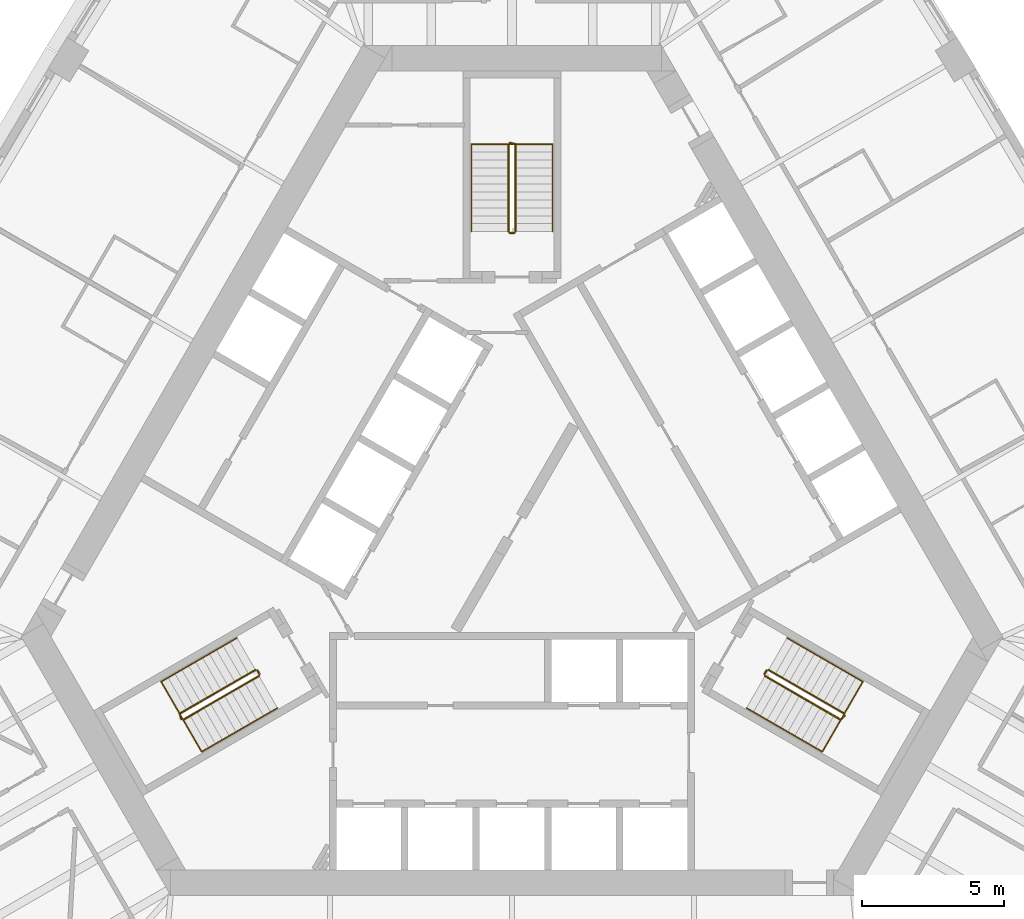
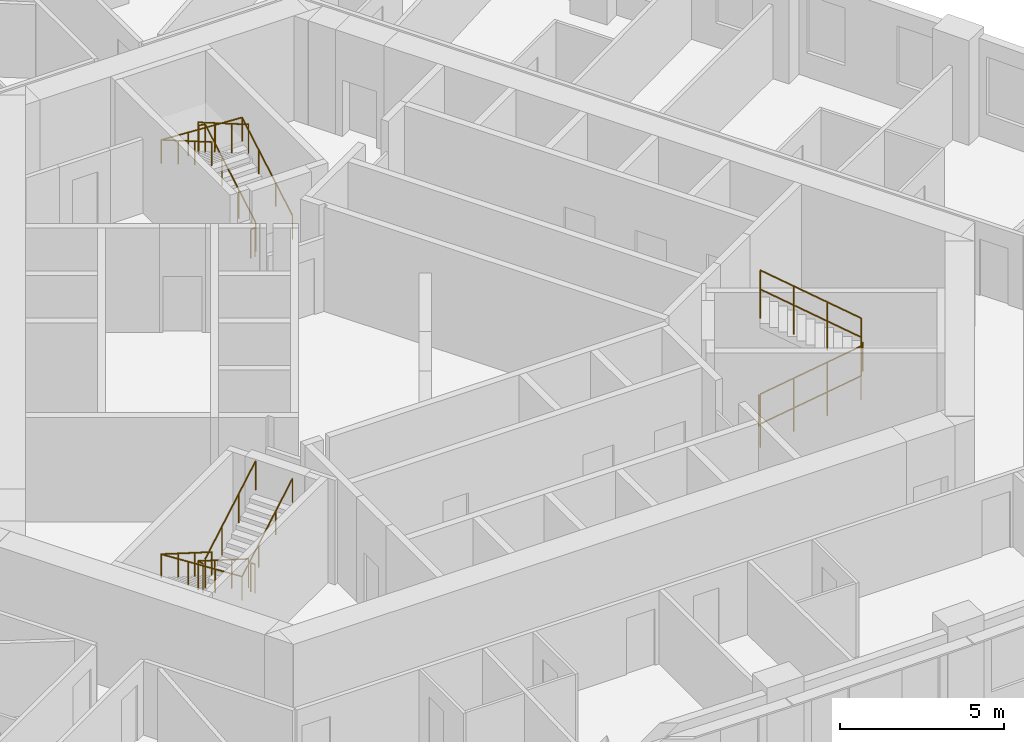
# One storey, part 12 of 12: 12 railings.
"""IFC4 building model written with IfcOpenShell, lengths in metres."""

from ifc_helpers import new_model, si_unit, direction, frame, origin, origin_2d, place, context, subcontext, project, spatial, circle, extrude, material, type_object, element, save


model = new_model("IFC4")

# Units and contexts
model_context = context("Model", 3, precision=1e-05, world=origin(), true_north=direction((0.0, 1.0)))
body_context = subcontext(model_context, "Body", "Model", "MODEL_VIEW")
ifc_project = project(units=[si_unit("LENGTHUNIT", "METRE"), si_unit("AREAUNIT", "SQUARE_METRE"), si_unit("VOLUMEUNIT", "CUBIC_METRE"), si_unit("PLANEANGLEUNIT", "RADIAN"), si_unit("MASSUNIT", "GRAM", prefix="KILO")], contexts=[model_context])

# Site, building, storey
site_placement = place(None, origin())
site = spatial("IfcSite", under=ifc_project, at=site_placement, CompositionType="ELEMENT")
building_placement = place(site_placement, origin())
building = spatial("IfcBuilding", under=site, at=building_placement, Name="Mestral Congress Tower", CompositionType="ELEMENT")
storey_placement = place(building_placement, frame((0.0, 0.0, 111.0)))
storey = spatial("IfcBuildingStorey", under=building, at=storey_placement, Name="L26", CompositionType="ELEMENT", Elevation=111.0)

# Railings
ifc_material_1 = material(Name="Steel balustrade", Category="steel")
railing_type_1 = type_object("IfcRailingType", Name="Stair guard 1100", PredefinedType="GUARDRAIL", material=ifc_material_1)
railing_1_placement = place(storey_placement, frame((8.90087890625, -5.283203125, 0.16259765625)))
element("IfcRailing", 1, at=railing_1_placement, inside=storey, type_object=railing_type_1, Name="L26 ST1 stair guard 1", PredefinedType="GUARDRAIL", context=body_context, shape_type="SweptSolid", body=[
    extrude(circle(Radius=0.02392578125, at=origin_2d()), frame((0.0, 0.0, 1.076171875), z_axis=(0.749019742845, -0.432477486304, 0.501928927906), x_axis=(0.500026652407, 0.866010015463, 0.0)), (0.0, 0.0, 1.0), 3.56103515625),
    extrude(circle(Radius=0.02392578125, at=origin_2d()), frame((2.667236328125, -1.5400390625, 2.86328125), z_axis=(0.695164929852, 0.718850276695, 0.0), x_axis=(-0.718850276695, 0.695164929852, 0.0)), (0.0, 0.0, 1.0), 0.2060546875),
    extrude(circle(Radius=0.02099609375, at=origin_2d()), origin(), (0.0, 0.0, 1.0), 1.052001953125),
    extrude(circle(Radius=0.02099609375, at=origin_2d()), frame((0.88916015625, -0.513427734375, 0.595703125)), (0.0, 0.0, 1.0), 1.052001953125),
    extrude(circle(Radius=0.02099609375, at=origin_2d()), frame((1.778076171875, -1.026611328125, 1.191650390625)), (0.0, 0.0, 1.0), 1.052001953125),
    extrude(circle(Radius=0.02099609375, at=origin_2d()), frame((2.667236328125, -1.5400390625, 1.787353515625)), (0.0, 0.0, 1.0), 1.052001953125),
    extrude(circle(Radius=0.02099609375, at=origin_2d()), frame((2.810546875, -1.391845703125, 1.787353515625)), (0.0, 0.0, 1.0), 1.052001953125),
])
railing_2_placement = place(storey_placement, frame((11.693115234375, -6.606689453125, 2.112548828125)))
element("IfcRailing", 2, at=railing_2_placement, inside=storey, type_object=railing_type_1, Name="L26 ST1 stair guard 2", PredefinedType="GUARDRAIL", context=body_context, shape_type="SweptSolid", body=[
    extrude(circle(Radius=0.02392578125, at=origin_2d()), frame((0.0, 0.0, 1.076171875), z_axis=(-0.749019742845, 0.432477486304, 0.501928927906), x_axis=(-0.500026652407, -0.866010015463, 0.0)), (0.0, 0.0, 1.0), 3.56103515625),
    extrude(circle(Radius=0.02099609375, at=origin_2d()), origin(), (0.0, 0.0, 1.0), 1.052001953125),
    extrude(circle(Radius=0.02099609375, at=origin_2d()), frame((-0.88916015625, 0.513427734375, 0.595703125)), (0.0, 0.0, 1.0), 1.052001953125),
    extrude(circle(Radius=0.02099609375, at=origin_2d()), frame((-1.778076171875, 1.026611328125, 1.191650390625)), (0.0, 0.0, 1.0), 1.052001953125),
    extrude(circle(Radius=0.02099609375, at=origin_2d()), frame((-2.667236328125, 1.5400390625, 1.787353515625)), (0.0, 0.0, 1.0), 1.052001953125),
])
railing_3_placement = place(storey_placement, frame((8.882568359375, -5.21484375, 0.0)))
element("IfcRailing", 3, at=railing_3_placement, inside=storey, type_object=railing_type_1, Name="L26 ST1 stair guard 3", PredefinedType="GUARDRAIL", context=body_context, shape_type="SweptSolid", body=[
    extrude(circle(Radius=0.02392578125, at=origin_2d()), frame((0.0, 0.0, 1.076171875), z_axis=(0.499816412211, 0.866131372301, 0.0), x_axis=(-0.866131372301, 0.499816412211, 0.0)), (0.0, 0.0, 1.0), 0.14990234375),
    extrude(circle(Radius=0.02099609375, at=origin_2d()), origin(), (0.0, 0.0, 1.0), 1.052001953125),
    extrude(circle(Radius=0.02099609375, at=origin_2d()), frame((0.074951171875, 0.1298828125, 0.0)), (0.0, 0.0, 1.0), 1.052001953125),
])
railing_4_placement = place(storey_placement, frame((0.125, 10.35009765625, 0.16259765625)))
element("IfcRailing", 4, at=railing_4_placement, inside=storey, type_object=railing_type_1, Name="L26 ST2 stair guard 1", PredefinedType="GUARDRAIL", context=body_context, shape_type="SweptSolid", body=[
    extrude(circle(Radius=0.02392578125, at=origin_2d()), frame((0.0, 0.0, 1.076171875), z_axis=(0.0, 0.864903211148, 0.501938676878), x_axis=(-1.0, 0.0, 0.0)), (0.0, 0.0, 1.0), 3.560791015625),
    extrude(circle(Radius=0.02392578125, at=origin_2d()), frame((0.0, 3.079833984375, 2.86328125), z_axis=(-0.970072785993, 0.242814311512, 0.0), x_axis=(-0.242814311512, -0.970072785993, 0.0)), (0.0, 0.0, 1.0), 0.2060546875),
    extrude(circle(Radius=0.02099609375, at=origin_2d()), origin(), (0.0, 0.0, 1.0), 1.052001953125),
    extrude(circle(Radius=0.02099609375, at=origin_2d()), frame((0.0, 1.026611328125, 0.595703125)), (0.0, 0.0, 1.0), 1.052001953125),
    extrude(circle(Radius=0.02099609375, at=origin_2d()), frame((0.0, 2.05322265625, 1.191650390625)), (0.0, 0.0, 1.0), 1.052001953125),
    extrude(circle(Radius=0.02099609375, at=origin_2d()), frame((0.0, 3.079833984375, 1.787353515625)), (0.0, 0.0, 1.0), 1.052001953125),
    extrude(circle(Radius=0.02099609375, at=origin_2d()), frame((-0.199951171875, 3.1298828125, 1.787353515625)), (0.0, 0.0, 1.0), 1.052001953125),
])
railing_5_placement = place(storey_placement, frame((-0.125, 13.429931640625, 2.112548828125)))
element("IfcRailing", 5, at=railing_5_placement, inside=storey, type_object=railing_type_1, Name="L26 ST2 stair guard 2", PredefinedType="GUARDRAIL", context=body_context, shape_type="SweptSolid", body=[
    extrude(circle(Radius=0.02392578125, at=origin_2d()), frame((0.0, 0.0, 1.076171875), z_axis=(0.0, -0.864903211148, 0.501938676878), x_axis=(1.0, 0.0, 0.0)), (0.0, 0.0, 1.0), 3.560791015625),
    extrude(circle(Radius=0.02099609375, at=origin_2d()), origin(), (0.0, 0.0, 1.0), 1.052001953125),
    extrude(circle(Radius=0.02099609375, at=origin_2d()), frame((0.0, -1.026611328125, 0.595703125)), (0.0, 0.0, 1.0), 1.052001953125),
    extrude(circle(Radius=0.02099609375, at=origin_2d()), frame((0.0, -2.05322265625, 1.191650390625)), (0.0, 0.0, 1.0), 1.052001953125),
    extrude(circle(Radius=0.02099609375, at=origin_2d()), frame((0.0, -3.079833984375, 1.787353515625)), (0.0, 0.0, 1.0), 1.052001953125),
])
railing_6_placement = place(storey_placement, frame((0.074951171875, 10.300048828125, 0.0)))
element("IfcRailing", 6, at=railing_6_placement, inside=storey, type_object=railing_type_1, Name="L26 ST2 stair guard 3", PredefinedType="GUARDRAIL", context=body_context, shape_type="SweptSolid", body=[
    extrude(circle(Radius=0.02392578125, at=origin_2d()), frame((0.0, 0.0, 1.076171875), z_axis=(-1.0, 0.0, 0.0), x_axis=(0.0, -1.0, 0.0)), (0.0, 0.0, 1.0), 0.14990234375),
    extrude(circle(Radius=0.02099609375, at=origin_2d()), origin(), (0.0, 0.0, 1.0), 1.052001953125),
    extrude(circle(Radius=0.02099609375, at=origin_2d()), frame((-0.14990234375, 0.0, 0.0)), (0.0, 0.0, 1.0), 1.052001953125),
])
railing_7_placement = place(storey_placement, frame((-9.02587890625, -5.066650390625, 0.16259765625)))
element("IfcRailing", 7, at=railing_7_placement, inside=storey, type_object=railing_type_1, Name="L26 ST3 stair guard 1", PredefinedType="GUARDRAIL", context=body_context, shape_type="SweptSolid", body=[
    extrude(circle(Radius=0.02392578125, at=origin_2d()), frame((0.0, 0.0, 1.076171875), z_axis=(-0.749019742845, -0.432477486304, 0.501928927906), x_axis=(0.500026652407, -0.866010015463, 0.0)), (0.0, 0.0, 1.0), 3.56103515625),
    extrude(circle(Radius=0.02392578125, at=origin_2d()), frame((-2.667236328125, -1.5400390625, 2.86328125), z_axis=(0.274721127897, -0.961523947641, 0.0), x_axis=(0.961523947641, 0.274721127897, 0.0)), (0.0, 0.0, 1.0), 0.2060546875),
    extrude(circle(Radius=0.02099609375, at=origin_2d()), origin(), (0.0, 0.0, 1.0), 1.052001953125),
    extrude(circle(Radius=0.02099609375, at=origin_2d()), frame((-0.88916015625, -0.513427734375, 0.595703125)), (0.0, 0.0, 1.0), 1.052001953125),
    extrude(circle(Radius=0.02099609375, at=origin_2d()), frame((-1.778076171875, -1.026611328125, 1.191650390625)), (0.0, 0.0, 1.0), 1.052001953125),
    extrude(circle(Radius=0.02099609375, at=origin_2d()), frame((-2.667236328125, -1.5400390625, 1.787353515625)), (0.0, 0.0, 1.0), 1.052001953125),
    extrude(circle(Radius=0.02099609375, at=origin_2d()), frame((-2.610595703125, -1.73828125, 1.787353515625)), (0.0, 0.0, 1.0), 1.052001953125),
])
railing_8_placement = place(storey_placement, frame((-11.568115234375, -6.8232421875, 2.112548828125)))
element("IfcRailing", 8, at=railing_8_placement, inside=storey, type_object=railing_type_1, Name="L26 ST3 stair guard 2", PredefinedType="GUARDRAIL", context=body_context, shape_type="SweptSolid", body=[
    extrude(circle(Radius=0.02392578125, at=origin_2d()), frame((0.0, 0.0, 1.076171875), z_axis=(0.749019742845, 0.432477486304, 0.501928927906), x_axis=(-0.500026652407, 0.866010015463, 0.0)), (0.0, 0.0, 1.0), 3.56103515625),
    extrude(circle(Radius=0.02099609375, at=origin_2d()), origin(), (0.0, 0.0, 1.0), 1.052001953125),
    extrude(circle(Radius=0.02099609375, at=origin_2d()), frame((0.88916015625, 0.513427734375, 0.595703125)), (0.0, 0.0, 1.0), 1.052001953125),
    extrude(circle(Radius=0.02099609375, at=origin_2d()), frame((1.778076171875, 1.026611328125, 1.191650390625)), (0.0, 0.0, 1.0), 1.052001953125),
    extrude(circle(Radius=0.02099609375, at=origin_2d()), frame((2.667236328125, 1.5400390625, 1.787353515625)), (0.0, 0.0, 1.0), 1.052001953125),
])
railing_9_placement = place(storey_placement, frame((-8.95751953125, -5.0849609375, 0.0)))
element("IfcRailing", 9, at=railing_9_placement, inside=storey, type_object=railing_type_1, Name="L26 ST3 stair guard 3", PredefinedType="GUARDRAIL", context=body_context, shape_type="SweptSolid", body=[
    extrude(circle(Radius=0.02392578125, at=origin_2d()), frame((0.0, 0.0, 1.076171875), z_axis=(0.499816412211, -0.866131372301, 0.0), x_axis=(0.866131372301, 0.499816412211, 0.0)), (0.0, 0.0, 1.0), 0.14990234375),
    extrude(circle(Radius=0.02099609375, at=origin_2d()), origin(), (0.0, 0.0, 1.0), 1.052001953125),
    extrude(circle(Radius=0.02099609375, at=origin_2d()), frame((0.074951171875, -0.1298828125, 0.0)), (0.0, 0.0, 1.0), 1.052001953125),
])
ifc_material_2 = material(Name="Steel handrail", Category="steel")
railing_type_2 = type_object("IfcRailingType", Name="Stair handrail 900", PredefinedType="HANDRAIL", material=ifc_material_2)
railing_10_placement = place(storey_placement, frame((8.2509765625, -6.4091796875, 0.16259765625)))
element("IfcRailing", 10, at=railing_10_placement, inside=storey, type_object=railing_type_2, Name="L26 ST1 stair handrail 1", PredefinedType="HANDRAIL", context=body_context, shape_type="SweptSolid", body=[
    extrude(circle(Radius=0.02392578125, at=origin_2d()), frame((0.0, 0.0, 0.8759765625), z_axis=(0.749041951051, -0.432421746936, 0.501943809945), x_axis=(0.499967199496, 0.866044340336, 0.0)), (0.0, 0.0, 1.0), 3.560791015625),
    extrude(circle(Radius=0.02392578125, at=origin_2d()), frame((2.667236328125, -1.539794921875, 2.6630859375), z_axis=(0.499224505807, 0.864598343191, 0.056961370716), x_axis=(-0.866004402611, 0.500036373335, 0.0)), (0.0, 0.0, 1.0), 2.8544921875),
    extrude(circle(Radius=0.02392578125, at=origin_2d()), frame((4.09228515625, 0.92822265625, 2.82568359375), z_axis=(-0.749049836341, 0.432455278019, 0.501903153199), x_axis=(-0.499992328818, -0.866029832698, 0.0)), (0.0, 0.0, 1.0), 3.56103515625),
    extrude(circle(Radius=0.02099609375, at=origin_2d()), origin(), (0.0, 0.0, 1.0), 0.851806640625),
    extrude(circle(Radius=0.02099609375, at=origin_2d()), frame((0.88916015625, -0.51318359375, 0.595703125)), (0.0, 0.0, 1.0), 0.851806640625),
    extrude(circle(Radius=0.02099609375, at=origin_2d()), frame((1.778076171875, -1.026611328125, 1.191650390625)), (0.0, 0.0, 1.0), 0.851806640625),
    extrude(circle(Radius=0.02099609375, at=origin_2d()), frame((2.667236328125, -1.539794921875, 1.787353515625)), (0.0, 0.0, 1.0), 0.851806640625),
    extrude(circle(Radius=0.02099609375, at=origin_2d()), frame((3.142333984375, -0.717041015625, 1.841552734375)), (0.0, 0.0, 1.0), 0.851806640625),
    extrude(circle(Radius=0.02099609375, at=origin_2d()), frame((3.6171875, 0.10546875, 1.895751953125)), (0.0, 0.0, 1.0), 0.851806640625),
    extrude(circle(Radius=0.02099609375, at=origin_2d()), frame((4.09228515625, 0.92822265625, 1.949951171875)), (0.0, 0.0, 1.0), 0.851806640625),
    extrude(circle(Radius=0.02099609375, at=origin_2d()), frame((3.203125, 1.441650390625, 2.545654296875)), (0.0, 0.0, 1.0), 0.851806640625),
    extrude(circle(Radius=0.02099609375, at=origin_2d()), frame((2.31396484375, 1.954833984375, 3.1416015625)), (0.0, 0.0, 1.0), 0.851806640625),
    extrude(circle(Radius=0.02099609375, at=origin_2d()), frame((1.4248046875, 2.46826171875, 3.7373046875)), (0.0, 0.0, 1.0), 0.851806640625),
])
railing_11_placement = place(storey_placement, frame((1.425048828125, 10.35009765625, 0.16259765625)))
element("IfcRailing", 11, at=railing_11_placement, inside=storey, type_object=railing_type_2, Name="L26 ST2 stair handrail 1", PredefinedType="HANDRAIL", context=body_context, shape_type="SweptSolid", body=[
    extrude(circle(Radius=0.02392578125, at=origin_2d()), frame((0.0, 0.0, 0.8759765625), z_axis=(0.0, 0.864903211148, 0.501938676878), x_axis=(-1.0, 0.0, 0.0)), (0.0, 0.0, 1.0), 3.560791015625),
    extrude(circle(Radius=0.02392578125, at=origin_2d()), frame((0.0, 3.079833984375, 2.6630859375), z_axis=(-0.998376618682, 0.0, 0.056957240709), x_axis=(0.0, -1.0, 0.0)), (0.0, 0.0, 1.0), 2.854736328125),
    extrude(circle(Radius=0.02392578125, at=origin_2d()), frame((-2.85009765625, 3.079833984375, 2.82568359375), z_axis=(0.0, -0.864903211148, 0.501938676878), x_axis=(1.0, 0.0, 0.0)), (0.0, 0.0, 1.0), 3.560791015625),
    extrude(circle(Radius=0.02099609375, at=origin_2d()), origin(), (0.0, 0.0, 1.0), 0.851806640625),
    extrude(circle(Radius=0.02099609375, at=origin_2d()), frame((0.0, 1.026611328125, 0.595703125)), (0.0, 0.0, 1.0), 0.851806640625),
    extrude(circle(Radius=0.02099609375, at=origin_2d()), frame((0.0, 2.05322265625, 1.191650390625)), (0.0, 0.0, 1.0), 0.851806640625),
    extrude(circle(Radius=0.02099609375, at=origin_2d()), frame((0.0, 3.079833984375, 1.787353515625)), (0.0, 0.0, 1.0), 0.851806640625),
    extrude(circle(Radius=0.02099609375, at=origin_2d()), frame((-0.949951171875, 3.079833984375, 1.841552734375)), (0.0, 0.0, 1.0), 0.851806640625),
    extrude(circle(Radius=0.02099609375, at=origin_2d()), frame((-1.900146484375, 3.079833984375, 1.895751953125)), (0.0, 0.0, 1.0), 0.851806640625),
    extrude(circle(Radius=0.02099609375, at=origin_2d()), frame((-2.85009765625, 3.079833984375, 1.949951171875)), (0.0, 0.0, 1.0), 0.851806640625),
    extrude(circle(Radius=0.02099609375, at=origin_2d()), frame((-2.85009765625, 2.05322265625, 2.545654296875)), (0.0, 0.0, 1.0), 0.851806640625),
    extrude(circle(Radius=0.02099609375, at=origin_2d()), frame((-2.85009765625, 1.026611328125, 3.1416015625)), (0.0, 0.0, 1.0), 0.851806640625),
    extrude(circle(Radius=0.02099609375, at=origin_2d()), frame((-2.85009765625, 0.0, 3.7373046875)), (0.0, 0.0, 1.0), 0.851806640625),
])
railing_12_placement = place(storey_placement, frame((-9.67578125, -3.94091796875, 0.16259765625)))
element("IfcRailing", 12, at=railing_12_placement, inside=storey, type_object=railing_type_2, Name="L26 ST3 stair handrail 1", PredefinedType="HANDRAIL", context=body_context, shape_type="SweptSolid", body=[
    extrude(circle(Radius=0.02392578125, at=origin_2d()), frame((0.0, 0.0, 0.8759765625), z_axis=(-0.749049836341, -0.432455278019, 0.501903153199), x_axis=(0.499992328818, -0.866029832698, 0.0)), (0.0, 0.0, 1.0), 3.56103515625),
    extrude(circle(Radius=0.02392578125, at=origin_2d()), frame((-2.66748046875, -1.5400390625, 2.6630859375), z_axis=(0.499224505807, -0.864598343191, 0.056961370716), x_axis=(0.866004402611, 0.500036373335, 0.0)), (0.0, 0.0, 1.0), 2.8544921875),
    extrude(circle(Radius=0.02392578125, at=origin_2d()), frame((-1.242431640625, -4.008056640625, 2.82568359375), z_axis=(0.749041951051, 0.432421746936, 0.501943809945), x_axis=(-0.499967199496, 0.866044340336, 0.0)), (0.0, 0.0, 1.0), 3.560791015625),
    extrude(circle(Radius=0.02099609375, at=origin_2d()), origin(), (0.0, 0.0, 1.0), 0.851806640625),
    extrude(circle(Radius=0.02099609375, at=origin_2d()), frame((-0.88916015625, -0.513427734375, 0.595703125)), (0.0, 0.0, 1.0), 0.851806640625),
    extrude(circle(Radius=0.02099609375, at=origin_2d()), frame((-1.7783203125, -1.026611328125, 1.191650390625)), (0.0, 0.0, 1.0), 0.851806640625),
    extrude(circle(Radius=0.02099609375, at=origin_2d()), frame((-2.66748046875, -1.5400390625, 1.787353515625)), (0.0, 0.0, 1.0), 0.851806640625),
    extrude(circle(Radius=0.02099609375, at=origin_2d()), frame((-2.1923828125, -2.36279296875, 1.841552734375)), (0.0, 0.0, 1.0), 0.851806640625),
    extrude(circle(Radius=0.02099609375, at=origin_2d()), frame((-1.717529296875, -3.185302734375, 1.895751953125)), (0.0, 0.0, 1.0), 0.851806640625),
    extrude(circle(Radius=0.02099609375, at=origin_2d()), frame((-1.242431640625, -4.008056640625, 1.949951171875)), (0.0, 0.0, 1.0), 0.851806640625),
    extrude(circle(Radius=0.02099609375, at=origin_2d()), frame((-0.353271484375, -3.494873046875, 2.545654296875)), (0.0, 0.0, 1.0), 0.851806640625),
    extrude(circle(Radius=0.02099609375, at=origin_2d()), frame((0.53564453125, -2.9814453125, 3.1416015625)), (0.0, 0.0, 1.0), 0.851806640625),
    extrude(circle(Radius=0.02099609375, at=origin_2d()), frame((1.4248046875, -2.46826171875, 3.7373046875)), (0.0, 0.0, 1.0), 0.851806640625),
])

save(model, "model.ifc")
